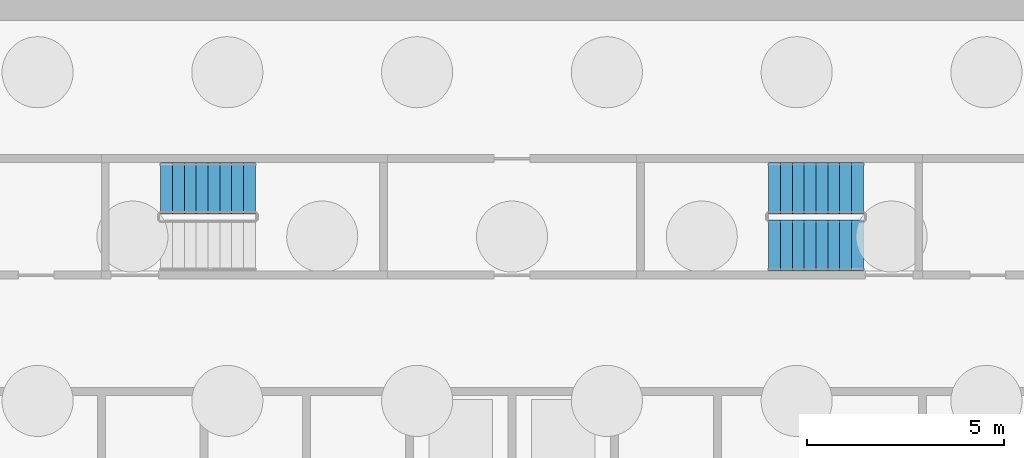
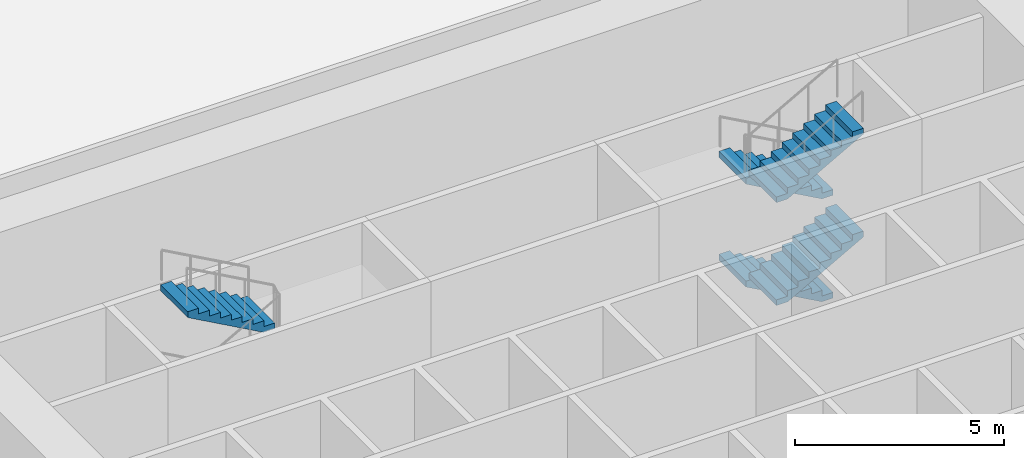
# One storey, part 9 of 12: 5 stair flights, 2 elements without a shape of their own.
"""IFC4 building model written with IfcOpenShell, lengths in metres."""

from ifc_helpers import new_model, si_unit, direction, frame, origin, place, context, subcontext, project, spatial, polyline, outline, extrude, material, type_object, element, aggregate, save


model = new_model("IFC4")

# Units and contexts
model_context = context("Model", 3, precision=1e-05, world=origin(), true_north=direction((0.0, 1.0)))
body_context = subcontext(model_context, "Body", "Model", "MODEL_VIEW")
ifc_project = project(units=[si_unit("LENGTHUNIT", "METRE"), si_unit("AREAUNIT", "SQUARE_METRE"), si_unit("VOLUMEUNIT", "CUBIC_METRE"), si_unit("PLANEANGLEUNIT", "RADIAN"), si_unit("MASSUNIT", "GRAM", prefix="KILO")], contexts=[model_context])

# Site, building, storey
site_placement = place(None, origin())
site = spatial("IfcSite", under=ifc_project, at=site_placement, CompositionType="ELEMENT")
building_placement = place(site_placement, origin())
building = spatial("IfcBuilding", under=site, at=building_placement, Name="Corvane Civic Tower", CompositionType="ELEMENT")
storey_placement = place(building_placement, frame((0.0, 0.0, -6.0)))
storey = spatial("IfcBuildingStorey", under=building, at=storey_placement, Name="B1", CompositionType="ELEMENT", Elevation=-6.0)

# Stair, stair flights
ifc_material_1 = material(Name="Concrete C40/50", Category="concrete")
stair_type = type_object("IfcStairType", Name="ST-STAIR-HALFTURN", PredefinedType="HALF_TURN_STAIR", material=ifc_material_1)
stair_1_placement = place(storey_placement, origin())
stair_1 = element("IfcStair", 1, at=stair_1_placement, inside=storey, type_object=stair_type, Name="B1 Exit stair ST1", PredefinedType="HALF_TURN_STAIR")
ifc_material_2 = material(Name="Concrete C40/50", Category="concrete")
stair_flight_type = type_object("IfcStairFlightType", Name="ST-FLIGHT-RC", PredefinedType="STRAIGHT", material=ifc_material_2)
stair_flight_1_placement = place(storey_placement, frame((8.89990234375, 9.550048828125, 0.0), z_axis=(0.0, 0.0, 1.0), x_axis=(-1.0, 0.0, 0.0)))
stair_flight_1 = element("IfcStairFlight", 2, at=stair_flight_1_placement, type_object=stair_flight_type, Name="ST1 flight 1", NumberOfRisers=9, NumberOfTreads=8, PredefinedType="STRAIGHT", RiserHeight=0.166666667, TreadLength=0.3, context=body_context, shape_type="SweptSolid", body=[
    extrude(outline(polyline([(0.0, 0.0), (0.0, 0.166748046875), (0.300048828125, 0.166748046875), (0.300048828125, 0.333251953125), (0.60009765625, 0.333251953125), (0.60009765625, 0.5), (0.89990234375, 0.5), (0.89990234375, 0.666748046875), (1.199951171875, 0.666748046875), (1.199951171875, 0.833251953125), (1.5, 0.833251953125), (1.5, 1.0), (1.800048828125, 1.0), (1.800048828125, 1.166748046875), (2.10009765625, 1.166748046875), (2.10009765625, 1.333251953125), (2.39990234375, 1.333251953125), (2.39990234375, 1.5), (2.39990234375, 1.161865234375), (0.30859375, 0.0), (0.0, 0.0)])), frame((0.0, 0.64990234375, 0.0), z_axis=(0.0, -1.0, 0.0), x_axis=(1.0, 0.0, 0.0)), (0.0, 0.0, 1.0), 1.300048828125),
])
stair_flight_2_placement = place(storey_placement, frame((6.5, 8.10009765625, 1.5), z_axis=(0.0, 0.0, 1.0), x_axis=(1.0, 0.0, 0.0)))
stair_flight_2 = element("IfcStairFlight", 3, at=stair_flight_2_placement, type_object=stair_flight_type, Name="ST1 flight 2", NumberOfRisers=9, NumberOfTreads=8, PredefinedType="STRAIGHT", RiserHeight=0.166666667, TreadLength=0.3, context=body_context, shape_type="SweptSolid", body=[
    extrude(outline(polyline([(0.0, 0.0), (0.0, 0.166748046875), (0.300048828125, 0.166748046875), (0.300048828125, 0.333251953125), (0.60009765625, 0.333251953125), (0.60009765625, 0.5), (0.89990234375, 0.5), (0.89990234375, 0.666748046875), (1.199951171875, 0.666748046875), (1.199951171875, 0.833251953125), (1.5, 0.833251953125), (1.5, 1.0), (1.800048828125, 1.0), (1.800048828125, 1.166748046875), (2.10009765625, 1.166748046875), (2.10009765625, 1.333251953125), (2.39990234375, 1.333251953125), (2.39990234375, 1.5), (2.39990234375, 1.161865234375), (0.30859375, 0.0), (0.0, 0.0)])), frame((0.0, 0.64990234375, 0.0), z_axis=(0.0, -1.0, 0.0), x_axis=(1.0, 0.0, 0.0)), (0.0, 0.0, 1.0), 1.300048828125),
])
stair_flight_3_placement = place(storey_placement, frame((8.89990234375, 9.550048828125, 3.0), z_axis=(0.0, 0.0, 1.0), x_axis=(-1.0, 0.0, 0.0)))
stair_flight_3 = element("IfcStairFlight", 4, at=stair_flight_3_placement, type_object=stair_flight_type, Name="ST1 flight 3", NumberOfRisers=9, NumberOfTreads=8, PredefinedType="STRAIGHT", RiserHeight=0.166666667, TreadLength=0.3, context=body_context, shape_type="SweptSolid", body=[
    extrude(outline(polyline([(0.0, 0.0), (0.0, 0.166748046875), (0.300048828125, 0.166748046875), (0.300048828125, 0.333251953125), (0.60009765625, 0.333251953125), (0.60009765625, 0.5), (0.89990234375, 0.5), (0.89990234375, 0.666748046875), (1.199951171875, 0.666748046875), (1.199951171875, 0.833251953125), (1.5, 0.833251953125), (1.5, 1.0), (1.800048828125, 1.0), (1.800048828125, 1.166748046875), (2.10009765625, 1.166748046875), (2.10009765625, 1.333251953125), (2.39990234375, 1.333251953125), (2.39990234375, 1.5), (2.39990234375, 1.161865234375), (0.30859375, 0.0), (0.0, 0.0)])), frame((0.0, 0.64990234375, 0.0), z_axis=(0.0, -1.0, 0.0), x_axis=(1.0, 0.0, 0.0)), (0.0, 0.0, 1.0), 1.300048828125),
])
stair_flight_4_placement = place(storey_placement, frame((6.5, 8.10009765625, 4.5), z_axis=(0.0, 0.0, 1.0), x_axis=(1.0, 0.0, 0.0)))
stair_flight_4 = element("IfcStairFlight", 5, at=stair_flight_4_placement, type_object=stair_flight_type, Name="ST1 flight 4", NumberOfRisers=9, NumberOfTreads=8, PredefinedType="STRAIGHT", RiserHeight=0.166666667, TreadLength=0.3, context=body_context, shape_type="SweptSolid", body=[
    extrude(outline(polyline([(0.0, 0.0), (0.0, 0.166748046875), (0.300048828125, 0.166748046875), (0.300048828125, 0.333251953125), (0.60009765625, 0.333251953125), (0.60009765625, 0.5), (0.89990234375, 0.5), (0.89990234375, 0.666748046875), (1.199951171875, 0.666748046875), (1.199951171875, 0.833251953125), (1.5, 0.833251953125), (1.5, 1.0), (1.800048828125, 1.0), (1.800048828125, 1.166748046875), (2.10009765625, 1.166748046875), (2.10009765625, 1.333251953125), (2.39990234375, 1.333251953125), (2.39990234375, 1.5), (2.39990234375, 1.161865234375), (0.30859375, 0.0), (0.0, 0.0)])), frame((0.0, 0.64990234375, 0.0), z_axis=(0.0, -1.0, 0.0), x_axis=(1.0, 0.0, 0.0)), (0.0, 0.0, 1.0), 1.300048828125),
])
aggregate(stair_1, [stair_flight_1, stair_flight_2, stair_flight_3, stair_flight_4])

# Stair, stair flight
stair_2_placement = place(storey_placement, origin())
stair_2 = element("IfcStair", 6, at=stair_2_placement, inside=storey, type_object=stair_type, Name="B1 Exit stair ST4", PredefinedType="HALF_TURN_STAIR")
stair_flight_5_placement = place(storey_placement, frame((-6.5, 9.550048828125, 4.5), z_axis=(0.0, 0.0, 1.0), x_axis=(-1.0, 0.0, 0.0)))
stair_flight_5 = element("IfcStairFlight", 7, at=stair_flight_5_placement, type_object=stair_flight_type, Name="ST4 flight 4", NumberOfRisers=9, NumberOfTreads=8, PredefinedType="STRAIGHT", RiserHeight=0.166666667, TreadLength=0.3, context=body_context, shape_type="SweptSolid", body=[
    extrude(outline(polyline([(0.0, 0.0), (0.0, 0.166748046875), (0.300048828125, 0.166748046875), (0.300048828125, 0.333251953125), (0.60009765625, 0.333251953125), (0.60009765625, 0.5), (0.89990234375, 0.5), (0.89990234375, 0.666748046875), (1.199951171875, 0.666748046875), (1.199951171875, 0.833251953125), (1.5, 0.833251953125), (1.5, 1.0), (1.800048828125, 1.0), (1.800048828125, 1.166748046875), (2.10009765625, 1.166748046875), (2.10009765625, 1.333251953125), (2.39990234375, 1.333251953125), (2.39990234375, 1.5), (2.39990234375, 1.161865234375), (0.30859375, 0.0), (0.0, 0.0)])), frame((0.0, 0.64990234375, 0.0), z_axis=(0.0, -1.0, 0.0), x_axis=(1.0, 0.0, 0.0)), (0.0, 0.0, 1.0), 1.300048828125),
])
aggregate(stair_2, [stair_flight_5])

save(model, "model.ifc")
